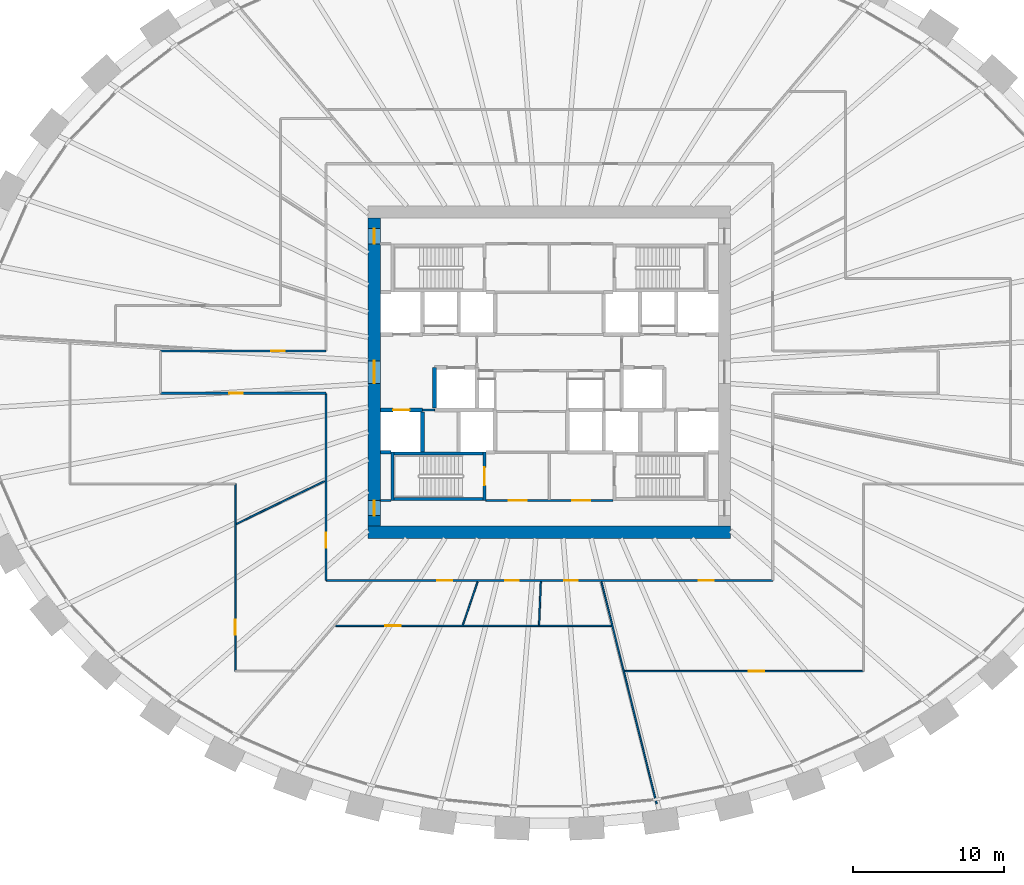
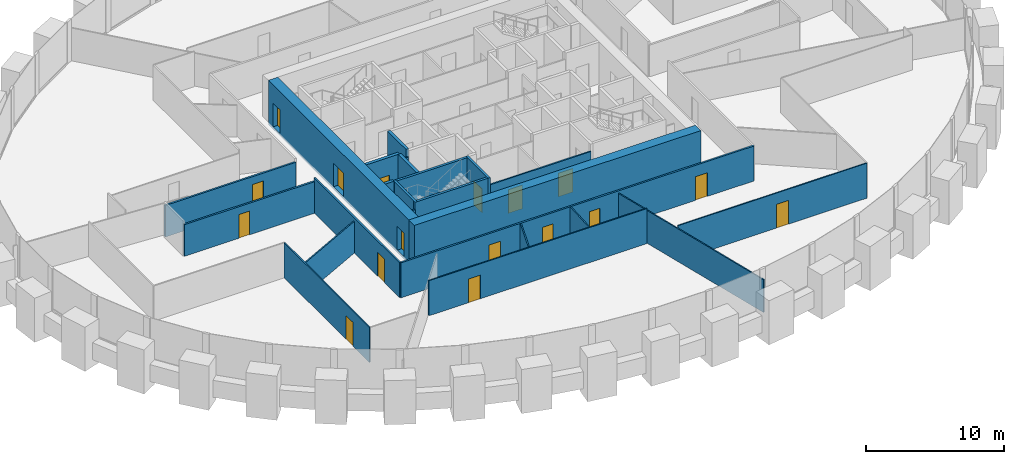
# One storey, part 6 of 11: 24 walls, 17 doors, 17 openings.
"""IFC4 building model written with IfcOpenShell, lengths in metres."""

from ifc_helpers import new_model, si_unit, direction, frame, frame_2d, origin, place, context, subcontext, project, spatial, rectangle, extrude, source, transform, mapped, material, layer, layer_set, type_object, element, fill, save


model = new_model("IFC4")

# Units and contexts
model_context = context("Model", 3, precision=1e-05, world=origin(), true_north=direction((0.0, 1.0)))
body_context = subcontext(model_context, "Body", "Model", "MODEL_VIEW")
ifc_project = project(units=[si_unit("LENGTHUNIT", "METRE"), si_unit("AREAUNIT", "SQUARE_METRE"), si_unit("VOLUMEUNIT", "CUBIC_METRE"), si_unit("PLANEANGLEUNIT", "RADIAN"), si_unit("MASSUNIT", "GRAM", prefix="KILO")], contexts=[model_context])

# Site, building, storey
site_placement = place(None, origin())
site = spatial("IfcSite", under=ifc_project, at=site_placement, CompositionType="ELEMENT")
building_placement = place(site_placement, origin())
building = spatial("IfcBuilding", under=site, at=building_placement, Name="Embergate Tower", CompositionType="ELEMENT")
storey_placement = place(building_placement, frame((0.0, 0.0, 135.89990234375)))
storey = spatial("IfcBuildingStorey", under=building, at=storey_placement, Name="L29", CompositionType="ELEMENT", Elevation=135.89990234375)

# Wall
ifc_material_1 = material(Name="Concrete C70", Category="concrete")
ifc_layer_1 = layer(ifc_material_1, 0.800048828125)
ifc_layer_set_1 = layer_set([ifc_layer_1], Name="Concrete C70")
wall_type_1 = type_object("IfcWallType", Name="Core outer wall C70 800", PredefinedType="SHEAR", material=ifc_layer_set_1)
shared_shape_1 = source(origin(), body_context, "Body", "SweptSolid", [
    extrude(rectangle(XDim=24.0, YDim=0.800048828125, at=frame_2d((12.0, 0.0))), origin(), (0.0, 0.0, 1.0), 3.900146484375),
])
wall_1_placement = place(storey_placement, frame((-12.0, -10.60009765625, -0.199951171875), z_axis=(0.0, 0.0, 1.0), x_axis=(1.0, 0.0, 0.0)))
element("IfcWall", 1, at=wall_1_placement, inside=storey, type_object=wall_type_1, Name="CW-L29-S", PredefinedType="SHEAR", context=body_context, shape_type="MappedRepresentation", body=[
    mapped(shared_shape_1, transform((0.0, 0.0, 0.0))),
])

# Wall, openings, doors
shared_shape_2 = source(origin(), body_context, "Body", "SweptSolid", [
    extrude(rectangle(XDim=20.39990234375, YDim=0.800048828125, at=frame_2d((10.199951171875, 0.0))), origin(), (0.0, 0.0, 1.0), 3.900146484375),
])
wall_2_placement = place(storey_placement, frame((-11.60009765625, -10.199951171875, -0.199951171875), z_axis=(0.0, 0.0, 1.0), x_axis=(0.0, 1.0, 0.0)))
wall_2 = element("IfcWall", 2, at=wall_2_placement, inside=storey, type_object=wall_type_1, Name="CW-L29-W", PredefinedType="SHEAR", context=body_context, shape_type="MappedRepresentation", body=[
    mapped(shared_shape_2, transform((0.0, 0.0, 0.0))),
])
shared_shape_3 = source(origin(), body_context, "Body", "SweptSolid", [
    extrude(rectangle(XDim=1.0, YDim=2.10009765625, at=frame_2d((0.5, 1.050048828125))), frame((0.0, 0.409912109375, 0.0), z_axis=(0.0, -1.0, 0.0), x_axis=(1.0, 0.0, 0.0)), (0.0, 0.0, 1.0), 0.820068359375),
])
opening_1_placement = place(wall_2_placement, frame((18.699951171875, 0.0, 0.199951171875)))
opening_1 = element("IfcOpeningElement", 3, at=opening_1_placement, cuts=wall_2, Name="Opening IF-1d", PredefinedType="OPENING", context=body_context, shape_type="MappedRepresentation", body=[
    mapped(shared_shape_3, transform((0.0, 0.0, 0.0))),
])
opening_2_placement = place(wall_2_placement, frame((0.699951171875, 0.0, 0.199951171875)))
opening_2 = element("IfcOpeningElement", 4, at=opening_2_placement, cuts=wall_2, Name="Opening IF-1d", PredefinedType="OPENING", context=body_context, shape_type="MappedRepresentation", body=[
    mapped(shared_shape_3, transform((0.0, 0.0, 0.0))),
])
shared_shape_4 = source(origin(), body_context, "Body", "SweptSolid", [
    extrude(rectangle(XDim=1.5, YDim=2.10009765625, at=frame_2d((0.75, 1.050048828125))), frame((0.0, 0.409912109375, 0.0), z_axis=(0.0, -1.0, 0.0), x_axis=(1.0, 0.0, 0.0)), (0.0, 0.0, 1.0), 0.820068359375),
])
opening_3_placement = place(wall_2_placement, frame((9.449951171875, 0.0, 0.199951171875)))
opening_3 = element("IfcOpeningElement", 5, at=opening_3_placement, cuts=wall_2, Name="Opening IF-3", PredefinedType="OPENING", context=body_context, shape_type="MappedRepresentation", body=[
    mapped(shared_shape_4, transform((0.0, 0.0, 0.0))),
])
ifc_material_2 = material(Name="Lobby fire door pair 1500")
door_type_1 = type_object("IfcDoorType", Name="Lobby fire door pair 1500", OperationType="DOUBLE_DOOR_SINGLE_SWING", PredefinedType="DOOR", material=ifc_material_2)
shared_shape_5 = source(origin(), body_context, "Body", "SweptSolid", [
    extrude(rectangle(XDim=1.5, YDim=2.10009765625, at=frame_2d((0.75, 1.050048828125))), frame((0.0, 0.02490234375, 0.0), z_axis=(0.0, -1.0, 0.0), x_axis=(1.0, 0.0, 0.0)), (0.0, 0.0, 1.0), 0.050048828125),
])
door_1_placement = place(opening_3_placement, origin())
door_1 = element("IfcDoor", 6, at=door_1_placement, inside=storey, type_object=door_type_1, Name="IF-3 door", OperationType="DOUBLE_DOOR_SINGLE_SWING", OverallHeight=2.10009765625, OverallWidth=1.5, PredefinedType="DOOR", context=body_context, shape_type="MappedRepresentation", body=[
    mapped(shared_shape_5, transform((0.0, 0.0, 0.0))),
])
fill(opening_3, door_1)
ifc_material_3 = material(Name="Escape fire door 1000")
door_type_2 = type_object("IfcDoorType", Name="Escape fire door 1000", OperationType="SINGLE_SWING_LEFT", PredefinedType="DOOR", material=ifc_material_3)
shared_shape_6 = source(origin(), body_context, "Body", "SweptSolid", [
    extrude(rectangle(XDim=1.0, YDim=2.10009765625, at=frame_2d((0.5, 1.050048828125))), frame((0.0, 0.02490234375, 0.0), z_axis=(0.0, -1.0, 0.0), x_axis=(1.0, 0.0, 0.0)), (0.0, 0.0, 1.0), 0.050048828125),
])
door_2_placement = place(opening_1_placement, origin())
door_2 = element("IfcDoor", 7, at=door_2_placement, inside=storey, type_object=door_type_2, Name="IF-1 door", OperationType="SINGLE_SWING_RIGHT", OverallHeight=2.10009765625, OverallWidth=1.0, PredefinedType="DOOR", context=body_context, shape_type="MappedRepresentation", body=[
    mapped(shared_shape_6, transform((0.0, 0.0, 0.0))),
])
fill(opening_1, door_2)
door_3_placement = place(opening_2_placement, origin())
door_3 = element("IfcDoor", 8, at=door_3_placement, inside=storey, type_object=door_type_2, Name="IF-1 door", OperationType="SINGLE_SWING_RIGHT", OverallHeight=2.10009765625, OverallWidth=1.0, PredefinedType="DOOR", context=body_context, shape_type="MappedRepresentation", body=[
    mapped(shared_shape_6, transform((0.0, 0.0, 0.0))),
])
fill(opening_2, door_3)

ifc_material_4 = material(Name="Core partition blockwork 120")
ifc_layer_2 = layer(ifc_material_4, 0.1201171875)
ifc_layer_set_2 = layer_set([ifc_layer_2], Name="Core partition blockwork 120")
wall_type_2 = type_object("IfcWallType", Name="Core partition blockwork 120", PredefinedType="PARTITIONING", material=ifc_layer_set_2)
shared_shape_7 = source(origin(), body_context, "Body", "SweptSolid", [
    extrude(rectangle(XDim=8.39990234375, YDim=0.1201171875, at=frame_2d((4.199951171875, 0.0))), origin(), (0.0, 0.0, 1.0), 3.10009765625),
])
wall_3_placement = place(storey_placement, frame((-4.199951171875, -8.5, 0.0), z_axis=(0.0, 0.0, 1.0), x_axis=(1.0, 0.0, 0.0)))
wall_3 = element("IfcWall", 9, at=wall_3_placement, inside=storey, type_object=wall_type_2, Name="IP-3 wall", PredefinedType="PARTITIONING", context=body_context, shape_type="MappedRepresentation", body=[
    mapped(shared_shape_7, transform((0.0, 0.0, 0.0))),
])
shared_shape_8 = source(origin(), body_context, "Body", "SweptSolid", [
    extrude(rectangle(XDim=1.199951171875, YDim=2.10009765625, at=frame_2d((0.60009765625, 1.050048828125))), frame((0.0, 0.070068359375, 0.0), z_axis=(0.0, -1.0, 0.0), x_axis=(1.0, 0.0, 0.0)), (0.0, 0.0, 1.0), 0.14013671875),
])
opening_4_placement = place(wall_3_placement, frame((1.5, 0.0, 0.0)))
opening_4 = element("IfcOpeningElement", 10, at=opening_4_placement, cuts=wall_3, Name="Opening IF-3f", PredefinedType="OPENING", context=body_context, shape_type="MappedRepresentation", body=[
    mapped(shared_shape_8, transform((0.0, 0.0, 0.0))),
])
opening_5_placement = place(wall_3_placement, frame((5.699951171875, 0.0, 0.0)))
opening_5 = element("IfcOpeningElement", 11, at=opening_5_placement, cuts=wall_3, Name="Opening IF-3f", PredefinedType="OPENING", context=body_context, shape_type="MappedRepresentation", body=[
    mapped(shared_shape_8, transform((0.0, 0.0, 0.0))),
])
ifc_material_5 = material(Name="Lobby fire door pair 1200")
door_type_3 = type_object("IfcDoorType", Name="Lobby fire door pair 1200", OperationType="DOUBLE_DOOR_SINGLE_SWING", PredefinedType="DOOR", material=ifc_material_5)
shared_shape_9 = source(origin(), body_context, "Body", "SweptSolid", [
    extrude(rectangle(XDim=1.199951171875, YDim=2.10009765625, at=frame_2d((0.60009765625, 1.050048828125))), frame((0.0, 0.02490234375, 0.0), z_axis=(0.0, -1.0, 0.0), x_axis=(1.0, 0.0, 0.0)), (0.0, 0.0, 1.0), 0.050048828125),
])
door_4_placement = place(opening_4_placement, origin())
door_4 = element("IfcDoor", 12, at=door_4_placement, inside=storey, type_object=door_type_3, Name="IF-3 door", OperationType="DOUBLE_DOOR_SINGLE_SWING", OverallHeight=2.10009765625, OverallWidth=1.199951171875, PredefinedType="DOOR", context=body_context, shape_type="MappedRepresentation", body=[
    mapped(shared_shape_9, transform((0.0, 0.0, 0.0))),
])
fill(opening_4, door_4)
door_5_placement = place(opening_5_placement, origin())
door_5 = element("IfcDoor", 13, at=door_5_placement, inside=storey, type_object=door_type_3, Name="IF-3 door", OperationType="DOUBLE_DOOR_SINGLE_SWING", OverallHeight=2.10009765625, OverallWidth=1.199951171875, PredefinedType="DOOR", context=body_context, shape_type="MappedRepresentation", body=[
    mapped(shared_shape_9, transform((0.0, 0.0, 0.0))),
])
fill(opening_5, door_5)

# Walls
ifc_material_6 = material(Name="Concrete C50", Category="concrete")
ifc_layer_3 = layer(ifc_material_6, 0.25)
ifc_layer_set_3 = layer_set([ifc_layer_3], Name="Concrete C50")
wall_type_3 = type_object("IfcWallType", Name="Hoistway wall reinforced concrete 250", PredefinedType="SHEAR", material=ifc_layer_set_3)
shared_shape_10 = source(origin(), body_context, "Body", "SweptSolid", [
    extrude(rectangle(XDim=2.675048828125, YDim=0.25, at=frame_2d((1.33740234375, 0.0))), origin(), (0.0, 0.0, 1.0), 3.7001953125),
])
wall_4_placement = place(storey_placement, frame((-7.60009765625, 0.300048828125, 0.0), z_axis=(0.0, 0.0, 1.0), x_axis=(0.0, -1.0, 0.0)))
element("IfcWall", 14, at=wall_4_placement, inside=storey, type_object=wall_type_3, Name="HW-1 wall", PredefinedType="SHEAR", context=body_context, shape_type="MappedRepresentation", body=[
    mapped(shared_shape_10, transform((0.0, 0.0, 0.0))),
])
ifc_layer_4 = layer(ifc_material_6, 0.199951171875)
ifc_layer_set_4 = layer_set([ifc_layer_4], Name="Concrete C50")
wall_type_4 = type_object("IfcWallType", Name="Stair enclosure wall reinforced concrete 250", PredefinedType="SHEAR", material=ifc_layer_set_4)
shared_shape_11 = source(origin(), body_context, "Body", "SweptSolid", [
    extrude(rectangle(XDim=6.300048828125, YDim=0.199951171875, at=frame_2d((3.14990234375, 0.0))), origin(), (0.0, 0.0, 1.0), 3.7001953125),
])
for number, where, z_axis, x_axis, name in (
    (15, (-10.5, -5.39990234375, 0.0), (0.0, 0.0, 1.0), (1.0, 0.0, 0.0), "SE-1 wall"),
    (16, (-10.5, -8.39990234375, 0.0), (0.0, 0.0, 1.0), (1.0, 0.0, 0.0), "SE-1 wall"),
):
    element("IfcWall", number, at=place(storey_placement, frame(where, z_axis=z_axis, x_axis=x_axis)), inside=storey, type_object=wall_type_4, Name=name, PredefinedType="SHEAR", context=body_context, shape_type="MappedRepresentation", body=[
        mapped(shared_shape_11, transform((0.0, 0.0, 0.0))),
    ])

# Wall, opening, door
shared_shape_12 = source(origin(), body_context, "Body", "SweptSolid", [
    extrude(rectangle(XDim=3.199951171875, YDim=0.199951171875, at=frame_2d((1.60009765625, 0.0))), origin(), (0.0, 0.0, 1.0), 3.7001953125),
])
wall_5_placement = place(storey_placement, frame((-4.300048828125, -8.5, 0.0), z_axis=(0.0, 0.0, 1.0), x_axis=(0.0, 1.0, 0.0)))
wall_5 = element("IfcWall", 17, at=wall_5_placement, inside=storey, type_object=wall_type_4, Name="SE-1 wall", PredefinedType="SHEAR", context=body_context, shape_type="MappedRepresentation", body=[
    mapped(shared_shape_12, transform((0.0, 0.0, 0.0))),
])
shared_shape_13 = source(origin(), body_context, "Body", "SweptSolid", [
    extrude(rectangle(XDim=1.199951171875, YDim=2.10009765625, at=frame_2d((0.60009765625, 1.050048828125))), frame((0.0, 0.10986328125, 0.0), z_axis=(0.0, -1.0, 0.0), x_axis=(1.0, 0.0, 0.0)), (0.0, 0.0, 1.0), 0.219970703125),
])
opening_6_placement = place(wall_5_placement, frame((1.0, 0.0, 0.0)))
opening_6 = element("IfcOpeningElement", 18, at=opening_6_placement, cuts=wall_5, Name="Opening IF-2", PredefinedType="OPENING", context=body_context, shape_type="MappedRepresentation", body=[
    mapped(shared_shape_13, transform((0.0, 0.0, 0.0))),
])
ifc_material_7 = material(Name="Stair enclosure door 1200")
door_type_4 = type_object("IfcDoorType", Name="Stair enclosure door 1200", OperationType="SINGLE_SWING_LEFT", PredefinedType="DOOR", material=ifc_material_7)
door_6_placement = place(opening_6_placement, origin())
door_6 = element("IfcDoor", 19, at=door_6_placement, inside=storey, type_object=door_type_4, Name="IF-2 door", OperationType="SINGLE_SWING_LEFT", OverallHeight=2.10009765625, OverallWidth=1.199951171875, PredefinedType="DOOR", context=body_context, shape_type="MappedRepresentation", body=[
    mapped(shared_shape_9, transform((0.0, 0.0, 0.0))),
])
fill(opening_6, door_6)

# Wall, openings, doors
ifc_material_8 = material(Name="Corridor wall dry-lined 150")
ifc_layer_5 = layer(ifc_material_8, 0.14990234375)
ifc_layer_set_5 = layer_set([ifc_layer_5], Name="Corridor wall dry-lined 150")
wall_type_5 = type_object("IfcWallType", Name="Corridor wall dry-lined 150", PredefinedType="PARTITIONING", material=ifc_layer_set_5)
shared_shape_14 = source(origin(), body_context, "Body", "SweptSolid", [
    extrude(rectangle(XDim=29.60009765625, YDim=0.14990234375, at=frame_2d((14.800048828125, 0.0))), origin(), (0.0, 0.0, 1.0), 3.10009765625),
])
wall_6_placement = place(storey_placement, frame((14.800048828125, -13.800048828125, 0.0), z_axis=(0.0, 0.0, 1.0), x_axis=(-1.0, 0.0, 0.0)))
wall_6 = element("IfcWall", 20, at=wall_6_placement, inside=storey, type_object=wall_type_5, Name="IP-2 wall", PredefinedType="PARTITIONING", context=body_context, shape_type="MappedRepresentation", body=[
    mapped(shared_shape_14, transform((0.0, 0.0, 0.0))),
])
shared_shape_15 = source(origin(), body_context, "Body", "SweptSolid", [
    extrude(rectangle(XDim=1.0, YDim=2.10009765625, at=frame_2d((0.5, 1.050048828125))), frame((0.0, 0.0849609375, 0.0), z_axis=(0.0, -1.0, 0.0), x_axis=(1.0, 0.0, 0.0)), (0.0, 0.0, 1.0), 0.169921875),
])
opening_7_placement = place(wall_6_placement, frame((21.22900390625, 0.0, 0.0)))
opening_7 = element("IfcOpeningElement", 21, at=opening_7_placement, cuts=wall_6, Name="Opening ID-2", PredefinedType="OPENING", context=body_context, shape_type="MappedRepresentation", body=[
    mapped(shared_shape_15, transform((0.0, 0.0, 0.0))),
])
shared_shape_16 = source(origin(), body_context, "Body", "SweptSolid", [
    extrude(rectangle(XDim=0.89990234375, YDim=2.10009765625, at=frame_2d((0.449951171875, 1.050048828125))), frame((0.0, 0.0849609375, 0.0), z_axis=(0.0, -1.0, 0.0), x_axis=(1.0, 0.0, 0.0)), (0.0, 0.0, 1.0), 0.169921875),
])
opening_8_placement = place(wall_6_placement, frame((16.8349609375, 0.0, 0.0)))
opening_8 = element("IfcOpeningElement", 22, at=opening_8_placement, cuts=wall_6, Name="Opening IF-1c", PredefinedType="OPENING", context=body_context, shape_type="MappedRepresentation", body=[
    mapped(shared_shape_16, transform((0.0, 0.0, 0.0))),
])
opening_9_placement = place(wall_6_placement, frame((12.9169921875, 0.0, 0.0)))
opening_9 = element("IfcOpeningElement", 23, at=opening_9_placement, cuts=wall_6, Name="Opening IF-1c", PredefinedType="OPENING", context=body_context, shape_type="MappedRepresentation", body=[
    mapped(shared_shape_16, transform((0.0, 0.0, 0.0))),
])
opening_10_placement = place(wall_6_placement, frame((3.9150390625, 0.0, 0.0)))
opening_10 = element("IfcOpeningElement", 24, at=opening_10_placement, cuts=wall_6, Name="Opening ID-2", PredefinedType="OPENING", context=body_context, shape_type="MappedRepresentation", body=[
    mapped(shared_shape_15, transform((0.0, 0.0, 0.0))),
])
ifc_material_9 = material(Name="Escape fire door 900")
door_type_5 = type_object("IfcDoorType", Name="Escape fire door 900", OperationType="SINGLE_SWING_LEFT", PredefinedType="DOOR", material=ifc_material_9)
shared_shape_17 = source(origin(), body_context, "Body", "SweptSolid", [
    extrude(rectangle(XDim=0.89990234375, YDim=2.10009765625, at=frame_2d((0.449951171875, 1.050048828125))), frame((0.0, 0.02490234375, 0.0), z_axis=(0.0, -1.0, 0.0), x_axis=(1.0, 0.0, 0.0)), (0.0, 0.0, 1.0), 0.050048828125),
])
door_7_placement = place(opening_8_placement, origin())
door_7 = element("IfcDoor", 25, at=door_7_placement, inside=storey, type_object=door_type_5, Name="IF-1 door", OperationType="SINGLE_SWING_RIGHT", OverallHeight=2.10009765625, OverallWidth=0.89990234375, PredefinedType="DOOR", context=body_context, shape_type="MappedRepresentation", body=[
    mapped(shared_shape_17, transform((0.0, 0.0, 0.0))),
])
fill(opening_8, door_7)
door_8_placement = place(opening_9_placement, origin())
door_8 = element("IfcDoor", 26, at=door_8_placement, inside=storey, type_object=door_type_5, Name="IF-1 door", OperationType="SINGLE_SWING_LEFT", OverallHeight=2.10009765625, OverallWidth=0.89990234375, PredefinedType="DOOR", context=body_context, shape_type="MappedRepresentation", body=[
    mapped(shared_shape_17, transform((0.0, 0.0, 0.0))),
])
fill(opening_9, door_8)
ifc_material_10 = material(Name="Interior door 1000")
door_type_6 = type_object("IfcDoorType", Name="Interior door 1000", OperationType="SINGLE_SWING_LEFT", PredefinedType="DOOR", material=ifc_material_10)
door_9_placement = place(opening_7_placement, origin())
door_9 = element("IfcDoor", 27, at=door_9_placement, inside=storey, type_object=door_type_6, Name="ID-2 door", OperationType="SINGLE_SWING_RIGHT", OverallHeight=2.10009765625, OverallWidth=1.0, PredefinedType="DOOR", context=body_context, shape_type="MappedRepresentation", body=[
    mapped(shared_shape_6, transform((0.0, 0.0, 0.0))),
])
fill(opening_7, door_9)
door_10_placement = place(opening_10_placement, origin())
door_10 = element("IfcDoor", 28, at=door_10_placement, inside=storey, type_object=door_type_6, Name="ID-2 door", OperationType="SINGLE_SWING_LEFT", OverallHeight=2.10009765625, OverallWidth=1.0, PredefinedType="DOOR", context=body_context, shape_type="MappedRepresentation", body=[
    mapped(shared_shape_6, transform((0.0, 0.0, 0.0))),
])
fill(opening_10, door_10)

# Wall, opening, door
shared_shape_18 = source(origin(), body_context, "Body", "SweptSolid", [
    extrude(rectangle(XDim=12.400146484375, YDim=0.14990234375, at=frame_2d((6.2001953125, 0.0))), origin(), (0.0, 0.0, 1.0), 3.10009765625),
])
wall_7_placement = place(storey_placement, frame((-14.800048828125, -1.39990234375, 0.0), z_axis=(0.0, 0.0, 1.0), x_axis=(0.0, -1.0, 0.0)))
wall_7 = element("IfcWall", 29, at=wall_7_placement, inside=storey, type_object=wall_type_5, Name="IP-2 wall", PredefinedType="PARTITIONING", context=body_context, shape_type="MappedRepresentation", body=[
    mapped(shared_shape_18, transform((0.0, 0.0, 0.0))),
])
opening_11_placement = place(wall_7_placement, frame((9.240966796875, 0.0, 0.0)))
opening_11 = element("IfcOpeningElement", 30, at=opening_11_placement, cuts=wall_7, Name="Opening ID-2", PredefinedType="OPENING", context=body_context, shape_type="MappedRepresentation", body=[
    mapped(shared_shape_15, transform((0.0, 0.0, 0.0))),
])
door_11_placement = place(opening_11_placement, origin())
door_11 = element("IfcDoor", 31, at=door_11_placement, inside=storey, type_object=door_type_6, Name="ID-2 door", OperationType="SINGLE_SWING_LEFT", OverallHeight=2.10009765625, OverallWidth=1.0, PredefinedType="DOOR", context=body_context, shape_type="MappedRepresentation", body=[
    mapped(shared_shape_6, transform((0.0, 0.0, 0.0))),
])
fill(opening_11, door_11)

ifc_material_11 = material(Name="Corridor wall dry-lined 150 wet")
ifc_layer_6 = layer(ifc_material_11, 0.14990234375)
ifc_layer_set_6 = layer_set([ifc_layer_6], Name="Corridor wall dry-lined 150 wet")
wall_type_6 = type_object("IfcWallType", Name="Corridor wall dry-lined 150 wet", PredefinedType="PLUMBINGWALL", material=ifc_layer_set_6)
shared_shape_19 = source(origin(), body_context, "Body", "SweptSolid", [
    extrude(rectangle(XDim=10.949951171875, YDim=0.14990234375, at=frame_2d((5.47509765625, 0.0))), origin(), (0.0, 0.0, 1.0), 2.800048828125),
])
wall_8_placement = place(storey_placement, frame((-14.800048828125, 1.39990234375, 0.0), z_axis=(0.0, 0.0, 1.0), x_axis=(-1.0, 0.0, 0.0)))
wall_8 = element("IfcWall", 32, at=wall_8_placement, inside=storey, type_object=wall_type_6, Name="IP-2 wall", PredefinedType="PLUMBINGWALL", context=body_context, shape_type="MappedRepresentation", body=[
    mapped(shared_shape_19, transform((0.0, 0.0, 0.0))),
])
opening_12_placement = place(wall_8_placement, frame((2.72607421875, 0.0, 0.0)))
opening_12 = element("IfcOpeningElement", 33, at=opening_12_placement, cuts=wall_8, Name="Opening IF-1c", PredefinedType="OPENING", context=body_context, shape_type="MappedRepresentation", body=[
    mapped(shared_shape_16, transform((0.0, 0.0, 0.0))),
])
door_12_placement = place(opening_12_placement, origin())
door_12 = element("IfcDoor", 34, at=door_12_placement, inside=storey, type_object=door_type_5, Name="IF-1 door", OperationType="SINGLE_SWING_LEFT", OverallHeight=2.10009765625, OverallWidth=0.89990234375, PredefinedType="DOOR", context=body_context, shape_type="MappedRepresentation", body=[
    mapped(shared_shape_17, transform((0.0, 0.0, 0.0))),
])
fill(opening_12, door_12)

wall_9_placement = place(storey_placement, frame((-25.75, -1.39990234375, 0.0), z_axis=(0.0, 0.0, 1.0), x_axis=(1.0, 0.0, 0.0)))
wall_9 = element("IfcWall", 35, at=wall_9_placement, inside=storey, type_object=wall_type_5, Name="IP-2 wall", PredefinedType="PARTITIONING", context=body_context, shape_type="MappedRepresentation", body=[
    mapped(shared_shape_19, transform((0.0, 0.0, 0.0))),
])
opening_13_placement = place(wall_9_placement, frame((4.552001953125, 0.0, 0.0)))
opening_13 = element("IfcOpeningElement", 36, at=opening_13_placement, cuts=wall_9, Name="Opening IF-1c", PredefinedType="OPENING", context=body_context, shape_type="MappedRepresentation", body=[
    mapped(shared_shape_16, transform((0.0, 0.0, 0.0))),
])
door_13_placement = place(opening_13_placement, origin())
door_13 = element("IfcDoor", 37, at=door_13_placement, inside=storey, type_object=door_type_5, Name="IF-1 door", OperationType="SINGLE_SWING_LEFT", OverallHeight=2.10009765625, OverallWidth=0.89990234375, PredefinedType="DOOR", context=body_context, shape_type="MappedRepresentation", body=[
    mapped(shared_shape_17, transform((0.0, 0.0, 0.0))),
])
fill(opening_13, door_13)

# Wall
ifc_material_12 = material(Name="Partition dry-lined 100")
ifc_layer_7 = layer(ifc_material_12, 0.10009765625)
ifc_layer_set_7 = layer_set([ifc_layer_7], Name="Partition dry-lined 100")
wall_type_7 = type_object("IfcWallType", Name="Partition dry-lined 100", PredefinedType="PARTITIONING", material=ifc_layer_set_7)
shared_shape_20 = source(origin(), body_context, "Body", "SweptSolid", [
    extrude(rectangle(XDim=3.0048828125, YDim=0.10009765625, at=frame_2d((1.50244140625, 0.0))), origin(), (0.0, 0.0, 1.0), 3.10009765625),
])
wall_10_placement = place(storey_placement, frame((-4.757080078125, -13.89111328125, 0.0), z_axis=(0.0, 0.0, 1.0), x_axis=(-0.324089597584, -0.946026391142, 0.0)))
element("IfcWall", 38, at=wall_10_placement, inside=storey, type_object=wall_type_7, Name="IP-1 wall", PredefinedType="PARTITIONING", context=body_context, shape_type="MappedRepresentation", body=[
    mapped(shared_shape_20, transform((0.0, 0.0, 0.0))),
])

# Wall, opening, door
shared_shape_21 = source(origin(), body_context, "Body", "SweptSolid", [
    extrude(rectangle(XDim=18.274169921875, YDim=0.10009765625, at=frame_2d((9.13720703125, 0.0))), origin(), (0.0, 0.0, 1.0), 3.10009765625),
])
wall_11_placement = place(storey_placement, frame((4.111083984375, -16.800048828125, 0.0), z_axis=(0.0, 0.0, 1.0), x_axis=(-1.0, 0.0, 0.0)))
wall_11 = element("IfcWall", 39, at=wall_11_placement, inside=storey, type_object=wall_type_7, Name="IP-1 wall", PredefinedType="PARTITIONING", context=body_context, shape_type="MappedRepresentation", body=[
    mapped(shared_shape_21, transform((0.0, 0.0, 0.0))),
])
shared_shape_22 = source(origin(), body_context, "Body", "SweptSolid", [
    extrude(rectangle(XDim=1.0, YDim=2.10009765625, at=frame_2d((0.5, 1.050048828125))), frame((0.0, 0.06005859375, 0.0), z_axis=(0.0, -1.0, 0.0), x_axis=(1.0, 0.0, 0.0)), (0.0, 0.0, 1.0), 0.1201171875),
])
opening_14_placement = place(wall_11_placement, frame((13.96875, 0.0, 0.0)))
opening_14 = element("IfcOpeningElement", 40, at=opening_14_placement, cuts=wall_11, Name="Opening ID-2", PredefinedType="OPENING", context=body_context, shape_type="MappedRepresentation", body=[
    mapped(shared_shape_22, transform((0.0, 0.0, 0.0))),
])
door_14_placement = place(opening_14_placement, origin())
door_14 = element("IfcDoor", 41, at=door_14_placement, inside=storey, type_object=door_type_6, Name="ID-2 door", OperationType="SINGLE_SWING_LEFT", OverallHeight=2.10009765625, OverallWidth=1.0, PredefinedType="DOOR", context=body_context, shape_type="MappedRepresentation", body=[
    mapped(shared_shape_6, transform((0.0, 0.0, 0.0))),
])
fill(opening_14, door_14)

# Wall
shared_shape_23 = source(origin(), body_context, "Body", "SweptSolid", [
    extrude(rectangle(XDim=2.87744140625, YDim=0.10009765625, at=frame_2d((1.438720703125, 0.0))), origin(), (0.0, 0.0, 1.0), 3.10009765625),
])
wall_12_placement = place(storey_placement, frame((-0.56591796875, -13.875, 0.0), z_axis=(0.0, 0.0, 1.0), x_axis=(-0.040727050658, -0.999170309479, 0.0)))
element("IfcWall", 42, at=wall_12_placement, inside=storey, type_object=wall_type_7, Name="IP-1 wall", PredefinedType="PARTITIONING", context=body_context, shape_type="MappedRepresentation", body=[
    mapped(shared_shape_23, transform((0.0, 0.0, 0.0))),
])

# Wall, opening, door
shared_shape_24 = source(origin(), body_context, "Body", "SweptSolid", [
    extrude(rectangle(XDim=15.816162109375, YDim=0.10009765625, at=frame_2d((7.908203125, 0.0))), origin(), (0.0, 0.0, 1.0), 3.10009765625),
])
wall_13_placement = place(storey_placement, frame((4.98388671875, -19.800048828125, 0.0), z_axis=(0.0, 0.0, 1.0), x_axis=(1.0, 0.0, 0.0)))
wall_13 = element("IfcWall", 43, at=wall_13_placement, inside=storey, type_object=wall_type_7, Name="IP-1 wall", PredefinedType="PARTITIONING", context=body_context, shape_type="MappedRepresentation", body=[
    mapped(shared_shape_24, transform((0.0, 0.0, 0.0))),
])
opening_15_placement = place(wall_13_placement, frame((8.23291015625, 0.0, 0.0)))
opening_15 = element("IfcOpeningElement", 44, at=opening_15_placement, cuts=wall_13, Name="Opening ID-2", PredefinedType="OPENING", context=body_context, shape_type="MappedRepresentation", body=[
    mapped(shared_shape_22, transform((0.0, 0.0, 0.0))),
])
door_15_placement = place(opening_15_placement, origin())
door_15 = element("IfcDoor", 45, at=door_15_placement, inside=storey, type_object=door_type_6, Name="ID-2 door", OperationType="SINGLE_SWING_RIGHT", OverallHeight=2.10009765625, OverallWidth=1.0, PredefinedType="DOOR", context=body_context, shape_type="MappedRepresentation", body=[
    mapped(shared_shape_6, transform((0.0, 0.0, 0.0))),
])
fill(opening_15, door_15)

shared_shape_25 = source(origin(), body_context, "Body", "SweptSolid", [
    extrude(rectangle(XDim=12.400146484375, YDim=0.10009765625, at=frame_2d((6.2001953125, 0.0))), origin(), (0.0, 0.0, 1.0), 3.10009765625),
])
wall_14_placement = place(storey_placement, frame((-20.800048828125, -19.800048828125, 0.0), z_axis=(0.0, 0.0, 1.0), x_axis=(0.0, 1.0, 0.0)))
wall_14 = element("IfcWall", 46, at=wall_14_placement, inside=storey, type_object=wall_type_7, Name="IP-1 wall", PredefinedType="PARTITIONING", context=body_context, shape_type="MappedRepresentation", body=[
    mapped(shared_shape_25, transform((0.0, 0.0, 0.0))),
])
opening_16_placement = place(wall_14_placement, frame((2.409912109375, 0.0, 0.0)))
opening_16 = element("IfcOpeningElement", 47, at=opening_16_placement, cuts=wall_14, Name="Opening ID-2", PredefinedType="OPENING", context=body_context, shape_type="MappedRepresentation", body=[
    mapped(shared_shape_22, transform((0.0, 0.0, 0.0))),
])
door_16_placement = place(opening_16_placement, origin())
door_16 = element("IfcDoor", 48, at=door_16_placement, inside=storey, type_object=door_type_6, Name="ID-2 door", OperationType="SINGLE_SWING_RIGHT", OverallHeight=2.10009765625, OverallWidth=1.0, PredefinedType="DOOR", context=body_context, shape_type="MappedRepresentation", body=[
    mapped(shared_shape_6, transform((0.0, 0.0, 0.0))),
])
fill(opening_16, door_16)

# Walls
shared_shape_26 = source(origin(), body_context, "Body", "SweptSolid", [
    extrude(rectangle(XDim=6.480712890625, YDim=0.10009765625, at=frame_2d((3.240234375, 0.0))), origin(), (0.0, 0.0, 1.0), 2.800048828125),
])
wall_15_placement = place(storey_placement, frame((-14.89697265625, -7.221923828125, 0.0), z_axis=(0.0, 0.0, 1.0), x_axis=(-0.89975673723, -0.436391812262, 0.0)))
element("IfcWall", 49, at=wall_15_placement, inside=storey, type_object=wall_type_7, Name="IP-1 wall", PredefinedType="PARTITIONING", context=body_context, shape_type="MappedRepresentation", body=[
    mapped(shared_shape_26, transform((0.0, 0.0, 0.0))),
])
shared_shape_27 = source(origin(), body_context, "Body", "SweptSolid", [
    extrude(rectangle(XDim=0.7958984375, YDim=0.1201171875, at=frame_2d((0.39794921875, 0.0))), origin(), (0.0, 0.0, 1.0), 3.10009765625),
])
wall_16_placement = place(storey_placement, frame((-8.39794921875, -2.5, 0.0), z_axis=(0.0, 0.0, 1.0), x_axis=(1.0, 0.0, 0.0)))
element("IfcWall", 50, at=wall_16_placement, inside=storey, type_object=wall_type_2, Name="IP-3 wall", PredefinedType="PARTITIONING", context=body_context, shape_type="MappedRepresentation", body=[
    mapped(shared_shape_27, transform((0.0, 0.0, 0.0))),
])
shared_shape_28 = source(origin(), body_context, "Body", "SweptSolid", [
    extrude(rectangle(XDim=0.697998046875, YDim=0.1201171875, at=frame_2d((0.34912109375, 0.0))), origin(), (0.0, 0.0, 1.0), 3.10009765625),
])
wall_17_placement = place(storey_placement, frame((-10.501953125, -8.5, 0.0), z_axis=(0.0, 0.0, 1.0), x_axis=(-1.0, 0.0, 0.0)))
element("IfcWall", 51, at=wall_17_placement, inside=storey, type_object=wall_type_2, Name="IP-3 wall", PredefinedType="PARTITIONING", context=body_context, shape_type="MappedRepresentation", body=[
    mapped(shared_shape_28, transform((0.0, 0.0, 0.0))),
])
shared_shape_29 = source(origin(), body_context, "Body", "SweptSolid", [
    extrude(rectangle(XDim=15.15625, YDim=0.10009765625, at=frame_2d((7.578125, 0.0))), origin(), (0.0, 0.0, 1.0), 2.900146484375),
])
wall_18_placement = place(storey_placement, frame((7.10595703125, -28.595947265625, 0.0), z_axis=(0.0, 0.0, 1.0), x_axis=(-0.241155760425, 0.970486424024, 0.0)))
element("IfcWall", 52, at=wall_18_placement, inside=storey, type_object=wall_type_7, Name="IP-1 wall", PredefinedType="PARTITIONING", context=body_context, shape_type="MappedRepresentation", body=[
    mapped(shared_shape_29, transform((0.0, 0.0, 0.0))),
])

# Wall, opening, door
shared_shape_30 = source(origin(), body_context, "Body", "SweptSolid", [
    extrude(rectangle(XDim=2.800048828125, YDim=0.25, at=frame_2d((1.39990234375, 0.0))), origin(), (0.0, 0.0, 1.0), 3.7001953125),
])
wall_19_placement = place(storey_placement, frame((-8.39990234375, -2.5, 0.0), z_axis=(0.0, 0.0, 1.0), x_axis=(-1.0, 0.0, 0.0)))
wall_19 = element("IfcWall", 53, at=wall_19_placement, inside=storey, type_object=wall_type_3, Name="HW-1 wall", PredefinedType="SHEAR", context=body_context, shape_type="MappedRepresentation", body=[
    mapped(shared_shape_30, transform((0.0, 0.0, 0.0))),
])
shared_shape_31 = source(origin(), body_context, "Body", "SweptSolid", [
    extrude(rectangle(XDim=1.10009765625, YDim=2.10009765625, at=frame_2d((0.550048828125, 1.050048828125))), frame((0.0, 0.135009765625, 0.0), z_axis=(0.0, -1.0, 0.0), x_axis=(1.0, 0.0, 0.0)), (0.0, 0.0, 1.0), 0.27001953125),
])
opening_17_placement = place(wall_19_placement, frame((0.85009765625, 0.0, 0.0)))
opening_17 = element("IfcOpeningElement", 54, at=opening_17_placement, cuts=wall_19, Name="Opening LD", PredefinedType="OPENING", context=body_context, shape_type="MappedRepresentation", body=[
    mapped(shared_shape_31, transform((0.0, 0.0, 0.0))),
])
ifc_material_13 = material(Name="Landing door sliding 1100")
door_type_7 = type_object("IfcDoorType", Name="Landing door sliding 1100", OperationType="SLIDING_TO_LEFT", PredefinedType="DOOR", material=ifc_material_13)
shared_shape_32 = source(origin(), body_context, "Body", "SweptSolid", [
    extrude(rectangle(XDim=1.10009765625, YDim=2.10009765625, at=frame_2d((0.550048828125, 1.050048828125))), frame((0.0, 0.02490234375, 0.0), z_axis=(0.0, -1.0, 0.0), x_axis=(1.0, 0.0, 0.0)), (0.0, 0.0, 1.0), 0.050048828125),
])
door_17_placement = place(opening_17_placement, origin())
door_17 = element("IfcDoor", 55, at=door_17_placement, inside=storey, type_object=door_type_7, Name="LD door", OperationType="SLIDING_TO_RIGHT", OverallHeight=2.10009765625, OverallWidth=1.10009765625, PredefinedType="DOOR", context=body_context, shape_type="MappedRepresentation", body=[
    mapped(shared_shape_32, transform((0.0, 0.0, 0.0))),
])
fill(opening_17, door_17)

# Walls
shared_shape_33 = source(origin(), body_context, "Body", "SweptSolid", [
    extrude(rectangle(XDim=3.196044921875, YDim=0.199951171875, at=frame_2d((1.59814453125, 0.0))), origin(), (0.0, 0.0, 1.0), 3.7001953125),
])
wall_20_placement = place(storey_placement, frame((-10.39990234375, -5.302001953125, 0.0), z_axis=(0.0, 0.0, 1.0), x_axis=(0.0, -1.0, 0.0)))
element("IfcWall", 56, at=wall_20_placement, inside=storey, type_object=wall_type_4, Name="SE-1 wall", PredefinedType="SHEAR", context=body_context, shape_type="MappedRepresentation", body=[
    mapped(shared_shape_33, transform((0.0, 0.0, 0.0))),
])
shared_shape_34 = source(origin(), body_context, "Body", "SweptSolid", [
    extrude(rectangle(XDim=0.697998046875, YDim=0.25, at=frame_2d((0.34912109375, 0.0))), origin(), (0.0, 0.0, 1.0), 3.7001953125),
])
wall_21_placement = place(storey_placement, frame((-11.199951171875, -5.300048828125, 0.0), z_axis=(0.0, 0.0, 1.0), x_axis=(1.0, 0.0, 0.0)))
element("IfcWall", 57, at=wall_21_placement, inside=storey, type_object=wall_type_3, Name="HW-1 wall", PredefinedType="SHEAR", context=body_context, shape_type="MappedRepresentation", body=[
    mapped(shared_shape_34, transform((0.0, 0.0, 0.0))),
])
shared_shape_35 = source(origin(), body_context, "Body", "SweptSolid", [
    extrude(rectangle(XDim=2.671142578125, YDim=0.25, at=frame_2d((1.33544921875, 0.0))), origin(), (0.0, 0.0, 1.0), 3.7001953125),
])
wall_22_placement = place(storey_placement, frame((-8.39990234375, -5.298095703125, 0.0), z_axis=(0.0, 0.0, 1.0), x_axis=(0.0, 1.0, 0.0)))
element("IfcWall", 58, at=wall_22_placement, inside=storey, type_object=wall_type_3, Name="HW-1 wall", PredefinedType="SHEAR", context=body_context, shape_type="MappedRepresentation", body=[
    mapped(shared_shape_35, transform((0.0, 0.0, 0.0))),
])

save(model, "model.ifc")
